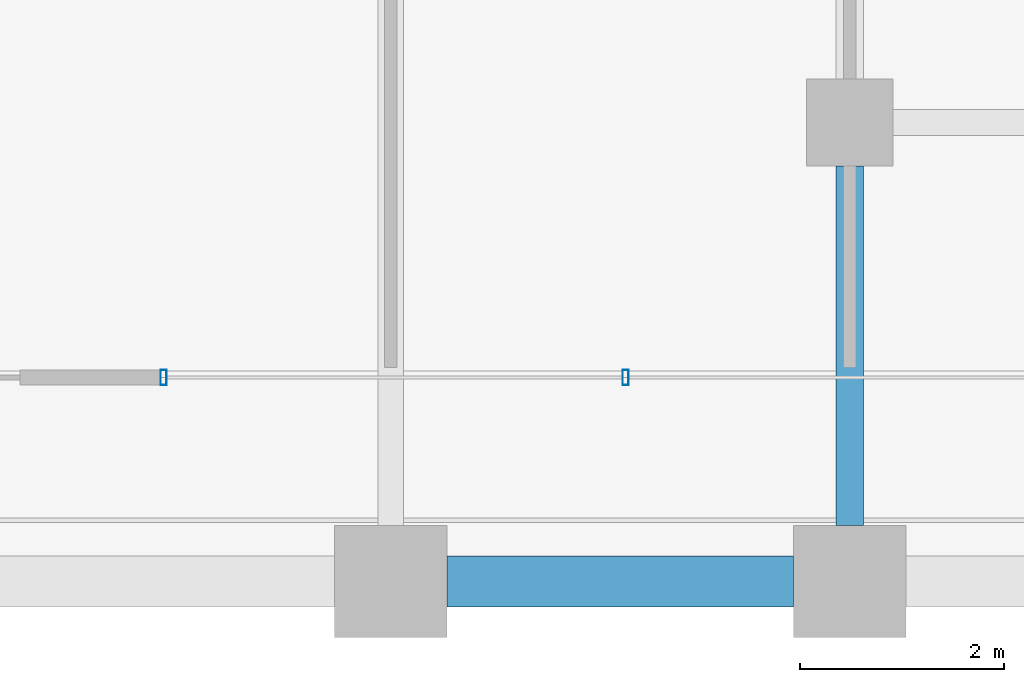
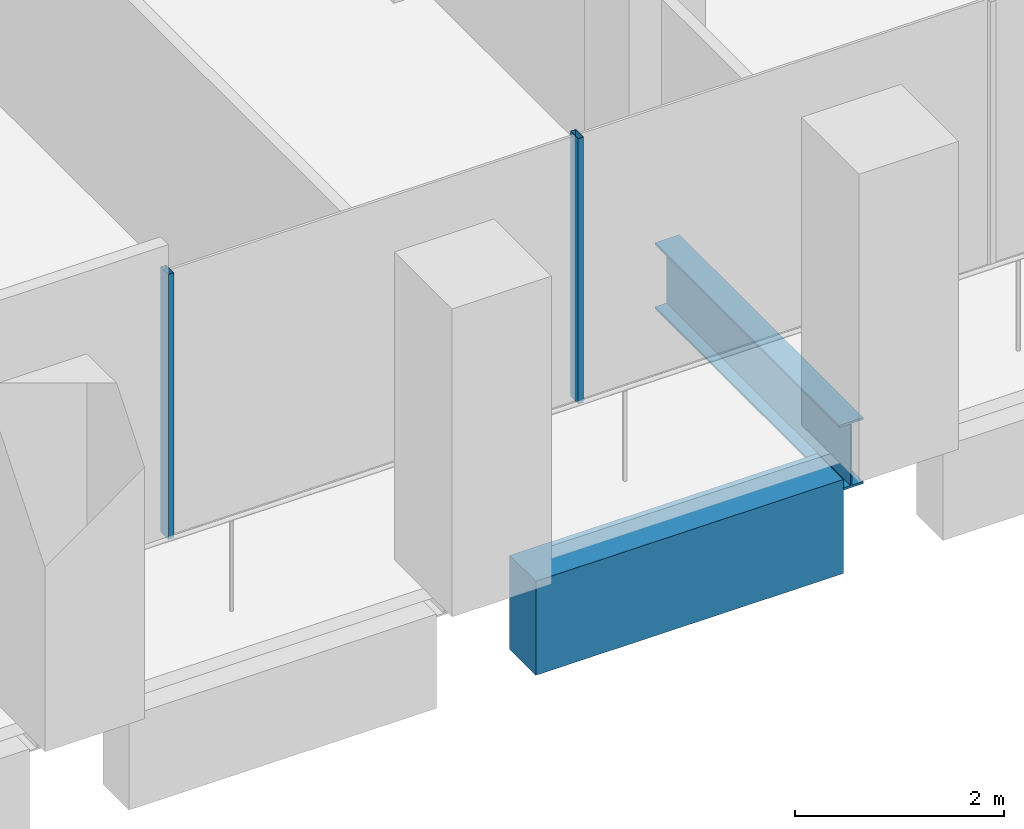
# One storey, part 9 of 56: 2 beams, 2 members, 1 element without a shape of its own.
"""IFC4 building model written with IfcOpenShell, lengths in metres."""

from ifc_helpers import new_model, si_unit, direction, frame, origin, origin_2d, place, context, subcontext, project, spatial, rectangle, hollow_rectangle, i_section, extrude, material, material_profile, profile_set, type_object, element, aggregate, save


model = new_model("IFC4")

# Units and contexts
model_context = context("Model", 3, precision=1e-05, world=origin(), true_north=direction((0.0, 1.0)))
body_context = subcontext(model_context, "Body", "Model", "MODEL_VIEW")
ifc_project = project(units=[si_unit("LENGTHUNIT", "METRE"), si_unit("AREAUNIT", "SQUARE_METRE"), si_unit("VOLUMEUNIT", "CUBIC_METRE"), si_unit("PLANEANGLEUNIT", "RADIAN"), si_unit("MASSUNIT", "GRAM", prefix="KILO")], contexts=[model_context])

# Site, building, storey
site_placement = place(None, origin())
site = spatial("IfcSite", under=ifc_project, at=site_placement, CompositionType="ELEMENT")
building_placement = place(site_placement, origin())
building = spatial("IfcBuilding", under=site, at=building_placement, Name="Altepetl Exchange Towers", CompositionType="ELEMENT")
storey_placement = place(building_placement, frame((0.0, 0.0, 54.60009765625)))
storey = spatial("IfcBuildingStorey", under=building, at=storey_placement, Name="L12", CompositionType="ELEMENT", Elevation=54.60009765625)

# Beam
ifc_material_1 = material(Name="Steel S355", Category="steel")
ifc_material_profile_1 = material_profile(ifc_material_1, i_section(OverallWidth=0.26806640625, OverallDepth=0.77392578125, WebThickness=0.015380859375, FlangeThickness=0.025390625, at=origin_2d()), Name="W30X132")
ifc_profile_set_1 = profile_set([ifc_material_profile_1], Name="Steel S355")
beam_type_1 = type_object("IfcBeamType", Name="Girder W30X132", PredefinedType="BEAM", material=ifc_profile_set_1)
beam_1_placement = place(storey_placement, frame((58.5, 31.074951171875, -0.537109375), z_axis=(0.0, -1.0, 0.0), x_axis=(1.0, 0.0, 0.0)))
element("IfcBeam", 1, at=beam_1_placement, inside=storey, type_object=beam_type_1, Name="gd:A:L12:008", PredefinedType="BEAM", context=body_context, shape_type="SweptSolid", body=[
    extrude(i_section(OverallWidth=0.26806640625, OverallDepth=0.77392578125, WebThickness=0.015380859375, FlangeThickness=0.025390625, at=origin_2d()), origin(), (0.0, 0.0, 1.0), 3.52490234375),
])

# Curtain wall, members
ifc_material_2 = material(Name="Aluminium 6063-T6 glazing", Category="aluminium")
curtain_wall_type = type_object("IfcCurtainWallType", Name="Loggia glazing system", PredefinedType="NOTDEFINED", material=ifc_material_2)
curtain_wall_placement = place(storey_placement, origin())
curtain_wall = element("IfcCurtainWall", 2, at=curtain_wall_placement, inside=storey, type_object=curtain_wall_type, Name="CW1 run", PredefinedType="NOTDEFINED")
ifc_material_3 = material(Name="Aluminium 6063-T6", Category="aluminium")
ifc_material_profile_2 = material_profile(ifc_material_3, hollow_rectangle(XDim=0.06005859375, YDim=0.14990234375, WallThickness=0.0029296875, at=origin_2d()), Name="Mullion 60x150 aluminium")
ifc_profile_set_2 = profile_set([ifc_material_profile_2], Name="Aluminium 6063-T6")
member_type = type_object("IfcMemberType", Name="Mullion 60x150 aluminium", PredefinedType="MULLION", material=ifc_profile_set_2)
member_1_placement = place(storey_placement, frame((51.77294921875, 29.0, 0.0)))
member_1 = element("IfcMember", 3, at=member_1_placement, type_object=member_type, Name="MU1 mullion", PredefinedType="MULLION", context=body_context, shape_type="SweptSolid", body=[
    extrude(hollow_rectangle(XDim=0.06005859375, YDim=0.14990234375, WallThickness=0.0029296875, at=origin_2d()), origin(), (0.0, 0.0, 1.0), 3.099853515625),
])
member_2_placement = place(storey_placement, frame((56.303466796875, 29.0, 0.0)))
member_2 = element("IfcMember", 4, at=member_2_placement, type_object=member_type, Name="MU1 mullion", PredefinedType="MULLION", context=body_context, shape_type="SweptSolid", body=[
    extrude(hollow_rectangle(XDim=0.06005859375, YDim=0.14990234375, WallThickness=0.0029296875, at=origin_2d()), origin(), (0.0, 0.0, 1.0), 3.099853515625),
])
aggregate(curtain_wall, [member_1, member_2])

# Beam
ifc_material_4 = material(Name="Concrete C50/60 precast with cantera blanca facing", Category="concrete")
ifc_material_profile_3 = material_profile(ifc_material_4, rectangle(XDim=0.5, YDim=1.10009765625, at=origin_2d()), Name="500 x 1100")
ifc_profile_set_3 = profile_set([ifc_material_profile_3], Name="Concrete C50/60 precast with cantera blanca facing")
beam_type_2 = type_object("IfcBeamType", Name="Spandrel beam 500x1100 cantera blanca", PredefinedType="SPANDREL", material=ifc_profile_set_3)
beam_2_placement = place(storey_placement, frame((54.550048828125, 27.0, -0.7001953125), z_axis=(1.0, 0.0, 0.0), x_axis=(0.0, 1.0, 0.0)))
element("IfcBeam", 5, at=beam_2_placement, inside=storey, type_object=beam_type_2, Name="sp:A:L12:005", PredefinedType="SPANDREL", context=body_context, shape_type="SweptSolid", body=[
    extrude(rectangle(XDim=0.5, YDim=1.10009765625, at=origin_2d()), origin(), (0.0, 0.0, 1.0), 3.39990234375),
])

save(model, "model.ifc")
